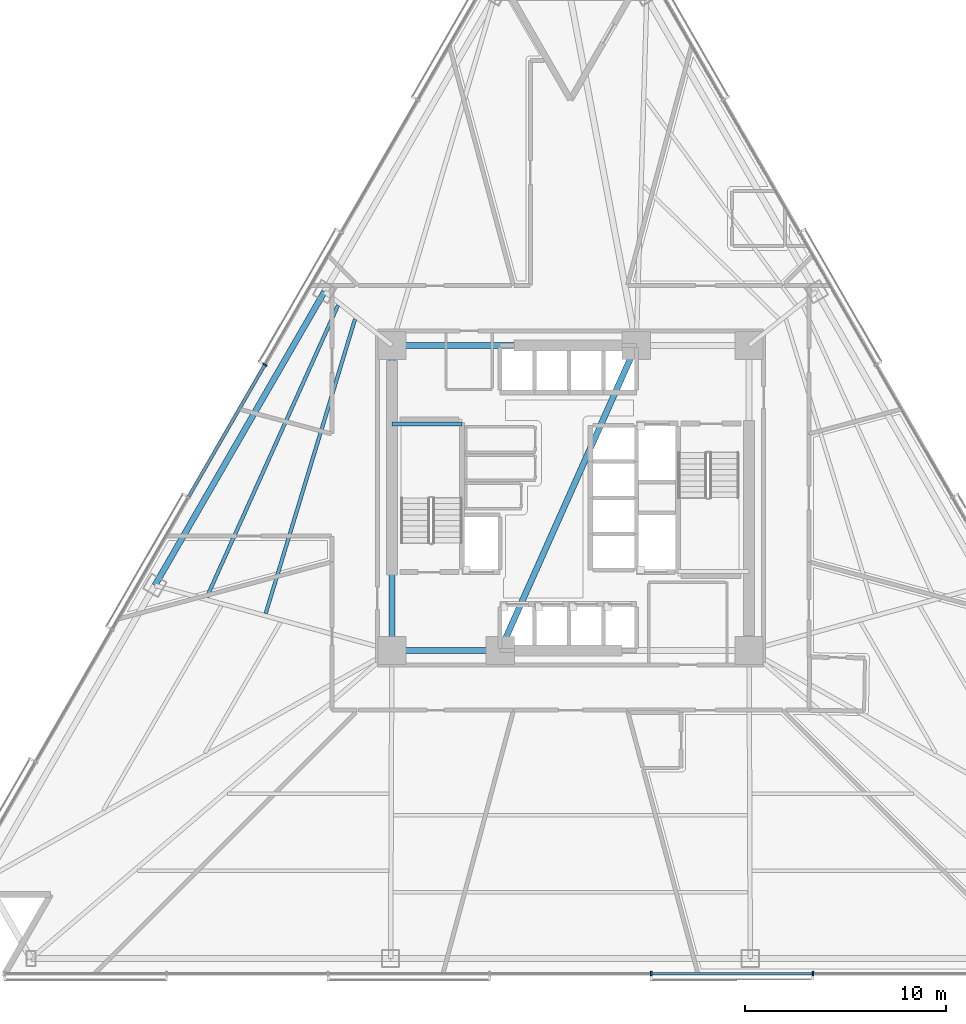
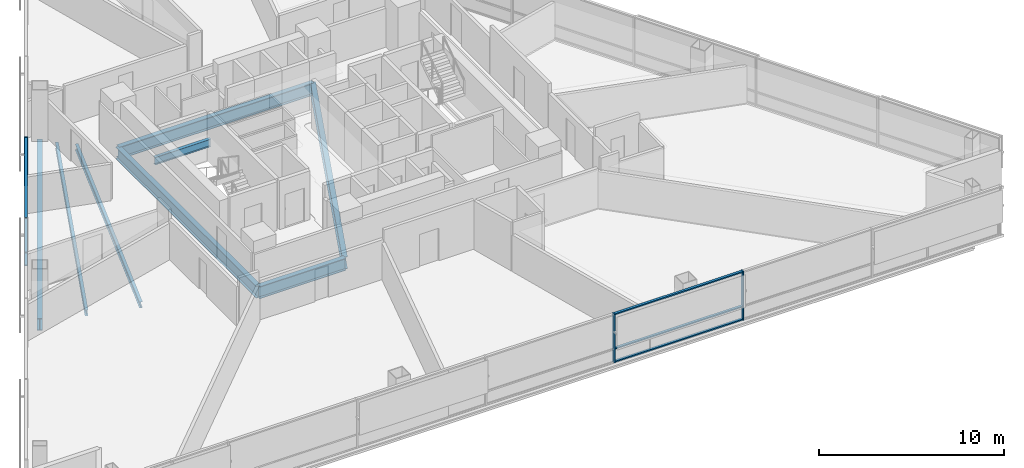
# One storey, part 3 of 16: 9 members, 8 beams, 2 elements without a shape of their own.
"""IFC4 building model written with IfcOpenShell, lengths in metres."""

from ifc_helpers import new_model, si_unit, direction, frame, origin, origin_2d, place, context, subcontext, project, spatial, rectangle, i_section, extrude, material, layer, layer_set, material_profile, profile_set, type_object, element, aggregate, save


model = new_model("IFC4")

# Units and contexts
model_context = context("Model", 3, precision=1e-05, world=origin(), true_north=direction((0.0, 1.0)))
body_context = subcontext(model_context, "Body", "Model", "MODEL_VIEW")
ifc_project = project(units=[si_unit("LENGTHUNIT", "METRE"), si_unit("AREAUNIT", "SQUARE_METRE"), si_unit("VOLUMEUNIT", "CUBIC_METRE"), si_unit("PLANEANGLEUNIT", "RADIAN"), si_unit("MASSUNIT", "GRAM", prefix="KILO")], contexts=[model_context])

# Site, building, storey
site_placement = place(None, origin())
site = spatial("IfcSite", under=ifc_project, at=site_placement, CompositionType="ELEMENT")
building_placement = place(site_placement, origin())
building = spatial("IfcBuilding", under=site, at=building_placement, Name="Tharavind Bronze Gate", CompositionType="ELEMENT")
storey_placement = place(building_placement, frame((0.0, 0.0, 48.85009765625)))
storey = spatial("IfcBuildingStorey", under=building, at=storey_placement, Name="L11", CompositionType="ELEMENT", Elevation=48.85009765625)

# Curtain wall, member
ifc_material_1 = material(Name="Anodised Bronze Aluminium", Category="aluminium")
ifc_layer = layer(ifc_material_1, 0.219970703125)
ifc_layer_set = layer_set([ifc_layer], Name="Anodised Bronze Aluminium")
curtain_wall_type = type_object("IfcCurtainWallType", Name="UNITISED CURTAIN WALL HOTEL", PredefinedType="USERDEFINED", material=ifc_layer_set)
curtain_wall_1_placement = place(storey_placement, origin())
curtain_wall_1 = element("IfcCurtainWall", 1, at=curtain_wall_1_placement, inside=storey, type_object=curtain_wall_type, Name="L11 unitised curtain wall hotel CW-L11-S1", ObjectType="UNITISED CURTAIN WALL", PredefinedType="USERDEFINED")
member_type_1 = type_object("IfcMemberType", Name="CURTAIN WALL MULLION 80X220", PredefinedType="MULLION", material=ifc_material_1)
member_1_placement = place(storey_placement, frame((-15.223876953125, 6.63134765625, -0.000244140625), z_axis=(0.0, 0.0, 1.0), x_axis=(-0.500001511499, -0.866024531118, 0.0)))
member_1 = element("IfcMember", 2, at=member_1_placement, type_object=member_type_1, Name="CW-L11-S1 mullion 4", PredefinedType="MULLION", context=body_context, shape_type="SweptSolid", body=[
    extrude(rectangle(XDim=0.080078125, YDim=0.219970703125, at=origin_2d()), origin(), (0.0, 0.0, 1.0), 3.22509765625),
])

# Curtain wall, members
curtain_wall_2_placement = place(storey_placement, origin())
curtain_wall_2 = element("IfcCurtainWall", 3, at=curtain_wall_2_placement, inside=storey, type_object=curtain_wall_type, Name="L11 unitised curtain wall hotel CW-L11-S2", ObjectType="UNITISED CURTAIN WALL", PredefinedType="USERDEFINED")
member_2_placement = place(storey_placement, frame((4.025146484375, -23.699951171875, -0.000244140625), z_axis=(0.0, 0.0, 1.0), x_axis=(1.0, 0.0, 0.0)))
member_2 = element("IfcMember", 4, at=member_2_placement, type_object=member_type_1, Name="CW-L11-S2 mullion 5", PredefinedType="MULLION", context=body_context, shape_type="SweptSolid", body=[
    extrude(rectangle(XDim=0.080078125, YDim=0.219970703125, at=origin_2d()), origin(), (0.0, 0.0, 1.0), 3.22509765625),
])
member_3_placement = place(storey_placement, frame((12.0751953125, -23.699951171875, -0.000244140625), z_axis=(0.0, 0.0, 1.0), x_axis=(1.0, 0.0, 0.0)))
member_3 = element("IfcMember", 5, at=member_3_placement, type_object=member_type_1, Name="CW-L11-S2 mullion 6", PredefinedType="MULLION", context=body_context, shape_type="SweptSolid", body=[
    extrude(rectangle(XDim=0.080078125, YDim=0.219970703125, at=origin_2d()), origin(), (0.0, 0.0, 1.0), 3.22509765625),
])

# Member
member_type_2 = type_object("IfcMemberType", Name="CURTAIN WALL TRANSOM 80X160", PredefinedType="USERDEFINED", material=ifc_material_1)
member_4_placement = place(storey_placement, frame((-17.1279296875, 3.33349609375, -0.000244140625), z_axis=(0.0, 0.0, 1.0), x_axis=(-0.500001511499, -0.866024531118, 0.0)))
member_4 = element("IfcMember", 6, at=member_4_placement, type_object=member_type_2, Name="CW-L11-S1 transom TB4", ObjectType="TRANSOM", PredefinedType="USERDEFINED", context=body_context, shape_type="SweptSolid", body=[
    extrude(rectangle(XDim=7.5478515625, YDim=0.159912109375, at=origin_2d()), origin(), (0.0, 0.0, 1.0), 0.080078125),
])

member_5_placement = place(storey_placement, frame((-17.1279296875, 3.33349609375, 0.85986328125), z_axis=(0.0, 0.0, 1.0), x_axis=(-0.500001511499, -0.866024531118, 0.0)))
member_5 = element("IfcMember", 7, at=member_5_placement, type_object=member_type_2, Name="CW-L11-S1 transom TS4", ObjectType="TRANSOM", PredefinedType="USERDEFINED", context=body_context, shape_type="SweptSolid", body=[
    extrude(rectangle(XDim=7.5478515625, YDim=0.159912109375, at=origin_2d()), origin(), (0.0, 0.0, 1.0), 0.080078125),
])

member_6_placement = place(storey_placement, frame((-17.1279296875, 3.33349609375, 3.144775390625), z_axis=(0.0, 0.0, 1.0), x_axis=(-0.500001511499, -0.866024531118, 0.0)))
member_6 = element("IfcMember", 8, at=member_6_placement, type_object=member_type_2, Name="CW-L11-S1 transom TT4", ObjectType="TRANSOM", PredefinedType="USERDEFINED", context=body_context, shape_type="SweptSolid", body=[
    extrude(rectangle(XDim=7.5478515625, YDim=0.159912109375, at=origin_2d()), origin(), (0.0, 0.0, 1.0), 0.080078125),
])

aggregate(curtain_wall_1, [member_1, member_4, member_5, member_6])

member_7_placement = place(storey_placement, frame((8.05029296875, -23.699951171875, -0.000244140625), z_axis=(0.0, 0.0, 1.0), x_axis=(1.0, 0.0, 0.0)))
member_7 = element("IfcMember", 9, at=member_7_placement, type_object=member_type_2, Name="CW-L11-S2 transom TB5", ObjectType="TRANSOM", PredefinedType="USERDEFINED", context=body_context, shape_type="SweptSolid", body=[
    extrude(rectangle(XDim=7.982177734375, YDim=0.159912109375, at=origin_2d()), origin(), (0.0, 0.0, 1.0), 0.080078125),
])

member_8_placement = place(storey_placement, frame((8.05029296875, -23.699951171875, 0.85986328125), z_axis=(0.0, 0.0, 1.0), x_axis=(1.0, 0.0, 0.0)))
member_8 = element("IfcMember", 10, at=member_8_placement, type_object=member_type_2, Name="CW-L11-S2 transom TS5", ObjectType="TRANSOM", PredefinedType="USERDEFINED", context=body_context, shape_type="SweptSolid", body=[
    extrude(rectangle(XDim=7.982177734375, YDim=0.159912109375, at=origin_2d()), origin(), (0.0, 0.0, 1.0), 0.080078125),
])

member_9_placement = place(storey_placement, frame((8.05029296875, -23.699951171875, 3.144775390625), z_axis=(0.0, 0.0, 1.0), x_axis=(1.0, 0.0, 0.0)))
member_9 = element("IfcMember", 11, at=member_9_placement, type_object=member_type_2, Name="CW-L11-S2 transom TT5", ObjectType="TRANSOM", PredefinedType="USERDEFINED", context=body_context, shape_type="SweptSolid", body=[
    extrude(rectangle(XDim=7.982177734375, YDim=0.159912109375, at=origin_2d()), origin(), (0.0, 0.0, 1.0), 0.080078125),
])

aggregate(curtain_wall_2, [member_2, member_3, member_7, member_8, member_9])

# Beams
ifc_material_2 = material(Name="Steel S355", Category="steel")
ifc_material_profile_1 = material_profile(ifc_material_2, i_section(OverallWidth=0.199951171875, OverallDepth=0.5, WebThickness=0.01025390625, FlangeThickness=0.01611328125, at=origin_2d()), Name="IPE500")
ifc_profile_set_1 = profile_set([ifc_material_profile_1], Name="Steel S355")
beam_type_1 = type_object("IfcBeamType", Name="PRIMARY GIRDER IPE500", PredefinedType="USERDEFINED", material=ifc_profile_set_1)
beam_1_placement = place(storey_placement, frame((-8.89990234375, 3.679931640625, 1.25), z_axis=(1.0, 0.0, 0.0), x_axis=(0.0, 1.0, 0.0)))
element("IfcBeam", 12, at=beam_1_placement, inside=storey, type_object=beam_type_1, Name="L11 primary girder ipe500 BM-LD-ST1-L11-1", ObjectType="GIRDER", PredefinedType="USERDEFINED", context=body_context, shape_type="SweptSolid", body=[
    extrude(i_section(OverallWidth=0.199951171875, OverallDepth=0.5, WebThickness=0.01025390625, FlangeThickness=0.01611328125, at=origin_2d()), origin(), (0.0, 0.0, 1.0), 3.5),
])
ifc_material_profile_2 = material_profile(ifc_material_2, i_section(OverallWidth=0.300048828125, OverallDepth=0.800048828125, WebThickness=0.017578125, FlangeThickness=0.032958984375, at=origin_2d()), Name="HE800B")
ifc_profile_set_2 = profile_set([ifc_material_profile_2], Name="Steel S355")
beam_type_2 = type_object("IfcBeamType", Name="RING GIRDER HE800B", PredefinedType="USERDEFINED", material=ifc_profile_set_2)
beam_2_placement = place(storey_placement, frame((-8.89990234375, -7.60009765625, -0.5751953125), z_axis=(1.0, 0.0, 0.0), x_axis=(0.0, 1.0, 0.0)))
element("IfcBeam", 13, at=beam_2_placement, inside=storey, type_object=beam_type_2, Name="L11 ring girder he800b BM-L11-CR1", ObjectType="GIRDER", PredefinedType="USERDEFINED", context=body_context, shape_type="SweptSolid", body=[
    extrude(i_section(OverallWidth=0.300048828125, OverallDepth=0.800048828125, WebThickness=0.017578125, FlangeThickness=0.032958984375, at=origin_2d()), origin(), (0.0, 0.0, 1.0), 5.39990234375),
])
beam_3_placement = place(storey_placement, frame((3.280029296875, 7.60009765625, -0.5751953125), z_axis=(-1.0, 0.0, 0.0), x_axis=(0.0, -1.0, 0.0)))
element("IfcBeam", 14, at=beam_3_placement, inside=storey, type_object=beam_type_2, Name="L11 ring girder he800b BM-L11-CR5", ObjectType="GIRDER", PredefinedType="USERDEFINED", context=body_context, shape_type="SweptSolid", body=[
    extrude(i_section(OverallWidth=0.300048828125, OverallDepth=0.800048828125, WebThickness=0.017578125, FlangeThickness=0.032958984375, at=origin_2d()), origin(), (0.0, 0.0, 1.0), 12.179931640625),
])
beam_4_placement = place(storey_placement, frame((-8.89990234375, 7.60009765625, -0.5751953125), z_axis=(0.0, -1.0, 0.0), x_axis=(1.0, 0.0, 0.0)))
element("IfcBeam", 15, at=beam_4_placement, inside=storey, type_object=beam_type_2, Name="L11 ring girder he800b BM-L11-CR6", ObjectType="GIRDER", PredefinedType="USERDEFINED", context=body_context, shape_type="SweptSolid", body=[
    extrude(i_section(OverallWidth=0.300048828125, OverallDepth=0.800048828125, WebThickness=0.017578125, FlangeThickness=0.032958984375, at=origin_2d()), origin(), (0.0, 0.0, 1.0), 15.2001953125),
])
beam_5_placement = place(storey_placement, frame((-3.5, -7.60009765625, -0.5751953125), z_axis=(0.407361644566, 0.913266932795, 0.0), x_axis=(-0.913266932795, 0.407361644566, 0.0)))
element("IfcBeam", 16, at=beam_5_placement, inside=storey, type_object=beam_type_2, Name="L11 ring girder he800b BM-L11-CR7", ObjectType="GIRDER", PredefinedType="USERDEFINED", context=body_context, shape_type="SweptSolid", body=[
    extrude(i_section(OverallWidth=0.300048828125, OverallDepth=0.800048828125, WebThickness=0.017578125, FlangeThickness=0.032958984375, at=origin_2d()), origin(), (0.0, 0.0, 1.0), 16.643798828125),
])
beam_6_placement = place(storey_placement, frame((-12.252197265625, 10.278564453125, -0.5751953125), z_axis=(-0.50000832373, -0.866020598023, 0.0), x_axis=(0.866020598023, -0.50000832373, 0.0)))
element("IfcBeam", 17, at=beam_6_placement, inside=storey, type_object=beam_type_2, Name="L11 ring girder he800b BM-L11-PRG02", ObjectType="GIRDER", PredefinedType="USERDEFINED", context=body_context, shape_type="SweptSolid", body=[
    extrude(i_section(OverallWidth=0.300048828125, OverallDepth=0.800048828125, WebThickness=0.017578125, FlangeThickness=0.032958984375, at=origin_2d()), origin(), (0.0, 0.0, 1.0), 16.904541015625),
])
ifc_material_profile_3 = material_profile(ifc_material_2, i_section(OverallWidth=0.179931640625, OverallDepth=0.39990234375, WebThickness=0.008544921875, FlangeThickness=0.013427734375, at=origin_2d()), Name="IPE400")
ifc_profile_set_3 = profile_set([ifc_material_profile_3], Name="Steel S355")
beam_type_3 = type_object("IfcBeamType", Name="SECONDARY FLOOR JOIST IPE400", PredefinedType="JOIST", material=ifc_profile_set_3)
beam_7_placement = place(storey_placement, frame((-10.72900390625, 8.915771484375, -0.375), z_axis=(-0.290410798392, -0.956902068227, 0.0), x_axis=(0.956902068227, -0.290410798392, 0.0)))
element("IfcBeam", 18, at=beam_7_placement, inside=storey, type_object=beam_type_3, Name="L11 secondary floor joist ipe400 BM-L11-JSTA02", PredefinedType="JOIST", context=body_context, shape_type="SweptSolid", body=[
    extrude(i_section(OverallWidth=0.179931640625, OverallDepth=0.39990234375, WebThickness=0.008544921875, FlangeThickness=0.013427734375, at=origin_2d()), origin(), (0.0, 0.0, 1.0), 15.334716796875),
])
beam_8_placement = place(storey_placement, frame((-11.579833984375, 9.595458984375, -0.375), z_axis=(-0.40998786392, -0.91209097761, 0.0), x_axis=(0.91209097761, -0.40998786392, 0.0)))
element("IfcBeam", 19, at=beam_8_placement, inside=storey, type_object=beam_type_3, Name="L11 secondary floor joist ipe400 BM-L11-JSTB02", PredefinedType="JOIST", context=body_context, shape_type="SweptSolid", body=[
    extrude(i_section(OverallWidth=0.179931640625, OverallDepth=0.39990234375, WebThickness=0.008544921875, FlangeThickness=0.013427734375, at=origin_2d()), origin(), (0.0, 0.0, 1.0), 15.949951171875),
])

save(model, "model.ifc")
